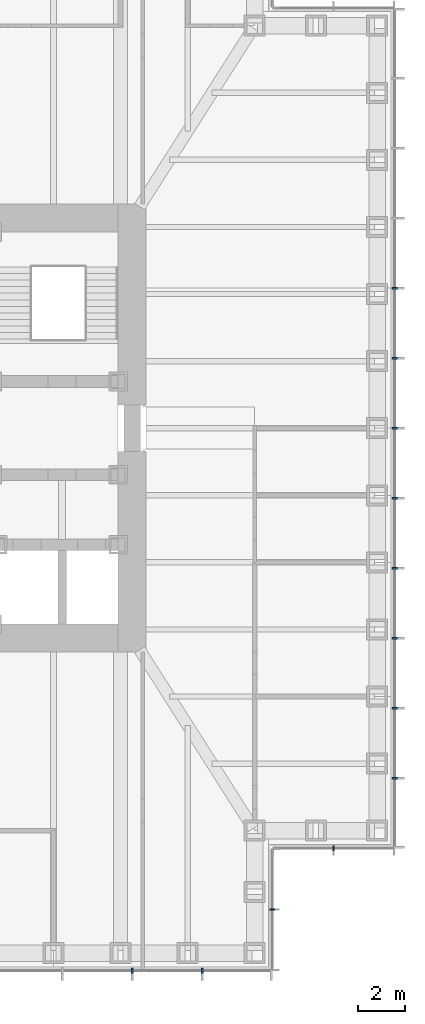
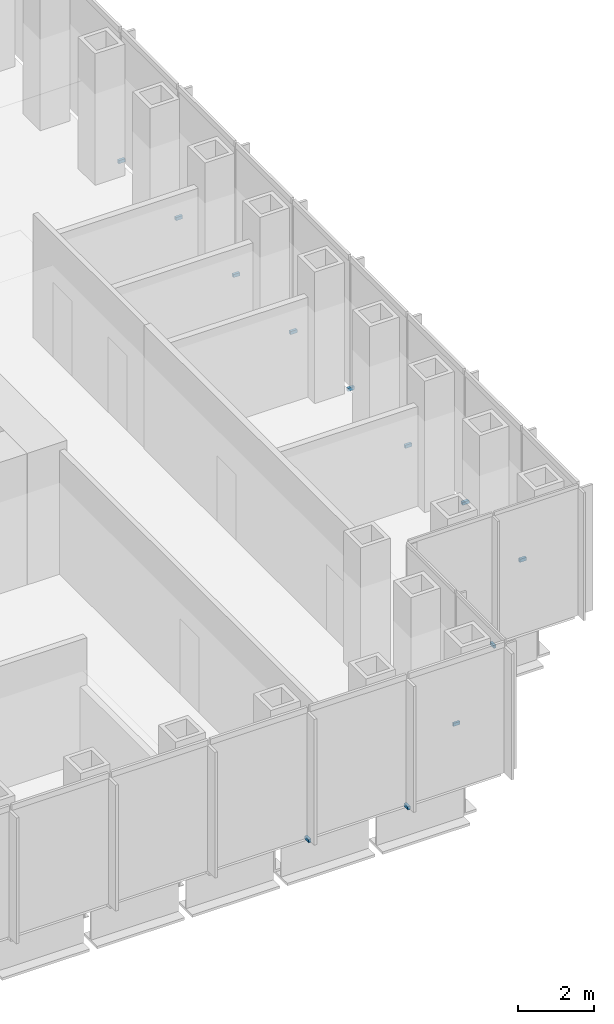
# One storey, part 14 of 17: 12 discrete accessories.
"""IFC4 building model written with IfcOpenShell, lengths in metres."""

from ifc_helpers import new_model, si_unit, direction, frame, origin, origin_2d, place, context, subcontext, project, spatial, rectangle, extrude, element, save


model = new_model("IFC4")

# Units and contexts
model_context = context("Model", 3, precision=1e-05, world=origin(), true_north=direction((0.0, 1.0)))
body_context = subcontext(model_context, "Body", "Model", "MODEL_VIEW")
ifc_project = project(units=[si_unit("LENGTHUNIT", "METRE"), si_unit("AREAUNIT", "SQUARE_METRE"), si_unit("VOLUMEUNIT", "CUBIC_METRE"), si_unit("PLANEANGLEUNIT", "RADIAN"), si_unit("MASSUNIT", "GRAM", prefix="KILO")], contexts=[model_context])

# Site, building, storey
site_placement = place(None, origin())
site = spatial("IfcSite", under=ifc_project, at=site_placement, CompositionType="ELEMENT")
building_placement = place(site_placement, origin())
building = spatial("IfcBuilding", under=site, at=building_placement, Name="Daluyong Arena Tower", CompositionType="ELEMENT")
storey_placement = place(building_placement, frame((0.0, 0.0, 171.10009765625)))
storey = spatial("IfcBuildingStorey", under=building, at=storey_placement, Name="L38", CompositionType="ELEMENT", Elevation=171.10009765625)

# Discrete accessories
for number, where, z_axis, x_axis, name in (
    (1, (68.0, 56.75, -0.10009765625), (0.0, 0.0, 1.0), (1.0, 0.0, 0.0), "curtain wall L38 S anchor bracket 11"),
    (2, (71.0, 56.75, -0.10009765625), (0.0, 0.0, 1.0), (1.0, 0.0, 0.0), "curtain wall L38 S anchor bracket 12"),
):
    element("IfcDiscreteAccessory", number, at=place(storey_placement, frame(where, z_axis=z_axis, x_axis=x_axis)), inside=storey, Name=name, PredefinedType="BRACKET", context=body_context, shape_type="SweptSolid", body=[
        extrude(rectangle(XDim=0.080078125, YDim=0.199951171875, at=origin_2d()), origin(), (0.0, 0.0, 1.0), 0.10009765625),
    ])
for number, where, z_axis, x_axis, name in (
    (3, (74.0, 59.375, -0.10009765625), (0.0, 0.0, 1.0), (0.0, 1.0, 0.0), "curtain wall L38 SE-E anchor bracket 2"),
    (4, (76.625, 62.0, -0.10009765625), (0.0, 0.0, 1.0), (1.0, 0.0, 0.0), "curtain wall L38 SE-S anchor bracket 2"),
):
    element("IfcDiscreteAccessory", number, at=place(storey_placement, frame(where, z_axis=z_axis, x_axis=x_axis)), inside=storey, Name=name, PredefinedType="BRACKET", context=body_context, shape_type="SweptSolid", body=[
        extrude(rectangle(XDim=0.06005859375, YDim=0.199951171875, at=origin_2d()), origin(), (0.0, 0.0, 1.0), 0.10009765625),
    ])
for number, where, z_axis, x_axis, name in (
    (5, (79.25, 65.0, -0.10009765625), (0.0, 0.0, 1.0), (0.0, 1.0, 0.0), "curtain wall L38 E anchor bracket 2"),
    (6, (79.25, 68.0, -0.10009765625), (0.0, 0.0, 1.0), (0.0, 1.0, 0.0), "curtain wall L38 E anchor bracket 3"),
    (7, (79.25, 71.0, -0.10009765625), (0.0, 0.0, 1.0), (0.0, 1.0, 0.0), "curtain wall L38 E anchor bracket 4"),
    (8, (79.25, 74.0, -0.10009765625), (0.0, 0.0, 1.0), (0.0, 1.0, 0.0), "curtain wall L38 E anchor bracket 5"),
    (9, (79.25, 77.0, -0.10009765625), (0.0, 0.0, 1.0), (0.0, 1.0, 0.0), "curtain wall L38 E anchor bracket 6"),
    (10, (79.25, 80.0, -0.10009765625), (0.0, 0.0, 1.0), (0.0, 1.0, 0.0), "curtain wall L38 E anchor bracket 7"),
    (11, (79.25, 83.0, -0.10009765625), (0.0, 0.0, 1.0), (0.0, 1.0, 0.0), "curtain wall L38 E anchor bracket 8"),
    (12, (79.25, 86.0, -0.10009765625), (0.0, 0.0, 1.0), (0.0, 1.0, 0.0), "curtain wall L38 E anchor bracket 9"),
):
    element("IfcDiscreteAccessory", number, at=place(storey_placement, frame(where, z_axis=z_axis, x_axis=x_axis)), inside=storey, Name=name, PredefinedType="BRACKET", context=body_context, shape_type="SweptSolid", body=[
        extrude(rectangle(XDim=0.080078125, YDim=0.199951171875, at=origin_2d()), origin(), (0.0, 0.0, 1.0), 0.10009765625),
    ])

save(model, "model.ifc")
